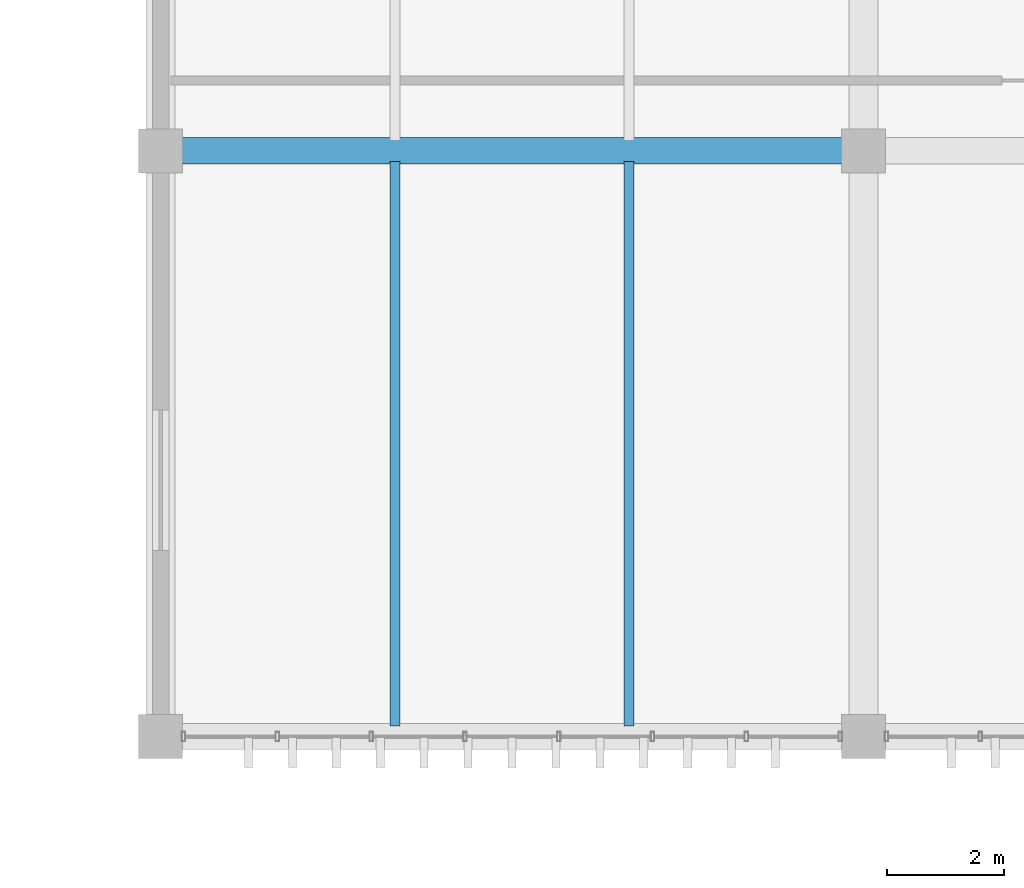
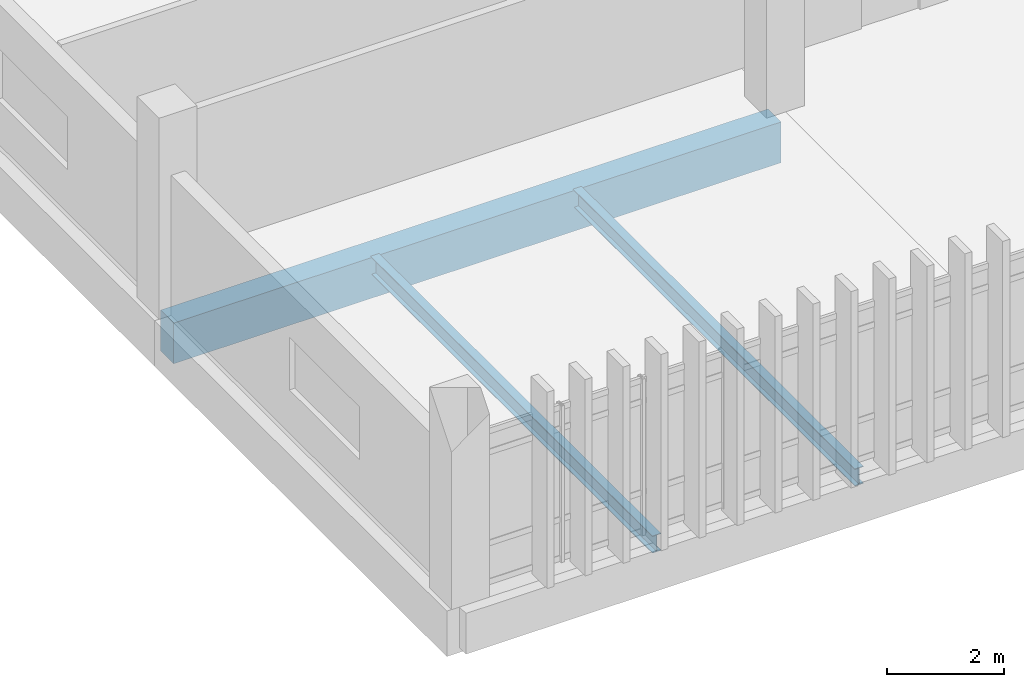
# One storey, part 68 of 161: 3 beams.
"""IFC4 building model written with IfcOpenShell, lengths in metres."""

from ifc_helpers import new_model, si_unit, direction, frame, origin, origin_2d, place, context, subcontext, project, spatial, rectangle, i_section, extrude, material, material_profile, profile_set, type_object, element, save


model = new_model("IFC4")

# Units and contexts
model_context = context("Model", 3, precision=1e-05, world=origin(), true_north=direction((0.0, 1.0)))
body_context = subcontext(model_context, "Body", "Model", "MODEL_VIEW")
ifc_project = project(units=[si_unit("LENGTHUNIT", "METRE"), si_unit("AREAUNIT", "SQUARE_METRE"), si_unit("VOLUMEUNIT", "CUBIC_METRE"), si_unit("PLANEANGLEUNIT", "RADIAN"), si_unit("MASSUNIT", "GRAM", prefix="KILO")], contexts=[model_context])

# Site, building, storey
site_placement = place(None, origin())
site = spatial("IfcSite", under=ifc_project, at=site_placement, CompositionType="ELEMENT")
building_placement = place(site_placement, origin())
building = spatial("IfcBuilding", under=site, at=building_placement, Name="Mersad Railyard Sports Hall", CompositionType="ELEMENT")
storey_placement = place(building_placement, frame((0.0, 0.0, 4.800048828125)))
storey = spatial("IfcBuildingStorey", under=building, at=storey_placement, Name="L01", CompositionType="ELEMENT", Elevation=4.800048828125)

# Beams
ifc_material_1 = material(Name="Concrete C40/50", Category="concrete")
ifc_material_profile_1 = material_profile(ifc_material_1, rectangle(XDim=0.449951171875, YDim=0.85009765625, at=origin_2d()), Name="RC 450x850")
ifc_profile_set_1 = profile_set([ifc_material_profile_1], Name="Concrete C40/50")
beam_type_1 = type_object("IfcBeamType", Name="STR-BM-B02", PredefinedType="BEAM", material=ifc_profile_set_1)
beam_placement = place(storey_placement, frame((43.0, 95.0, -0.72509765625), z_axis=(1.0, 0.0, 0.0), x_axis=(0.0, 1.0, 0.0)))
element("IfcBeam", 1, at=beam_placement, inside=storey, type_object=beam_type_1, Name="Beam B02-0932", PredefinedType="BEAM", context=body_context, shape_type="SweptSolid", body=[
    extrude(rectangle(XDim=0.449951171875, YDim=0.85009765625, at=origin_2d()), origin(), (0.0, 0.0, 1.0), 12.0),
])
ifc_material_2 = material(Name="Steel S355", Category="steel")
ifc_material_profile_2 = material_profile(ifc_material_2, i_section(OverallWidth=0.169921875, OverallDepth=0.360107421875, WebThickness=0.008056640625, FlangeThickness=0.0126953125, at=origin_2d()), Name="IPE 360")
ifc_profile_set_2 = profile_set([ifc_material_profile_2], Name="Steel S355")
beam_type_2 = type_object("IfcBeamType", Name="STR-BM-J03", PredefinedType="JOIST", material=ifc_profile_set_2)
for number, where, z_axis, x_axis, name in (
    (2, (47.0, 85.179931640625, -0.47998046875), (0.0, 1.0, 0.0), (-1.0, 0.0, 0.0), "Beam J03-1006"),
    (3, (51.0, 85.179931640625, -0.47998046875), (0.0, 1.0, 0.0), (-1.0, 0.0, 0.0), "Beam J03-1007"),
):
    element("IfcBeam", number, at=place(storey_placement, frame(where, z_axis=z_axis, x_axis=x_axis)), inside=storey, type_object=beam_type_2, Name=name, PredefinedType="JOIST", context=body_context, shape_type="SweptSolid", body=[
        extrude(i_section(OverallWidth=0.169921875, OverallDepth=0.360107421875, WebThickness=0.008056640625, FlangeThickness=0.0126953125, at=origin_2d()), origin(), (0.0, 0.0, 1.0), 9.64013671875),
    ])

save(model, "model.ifc")
